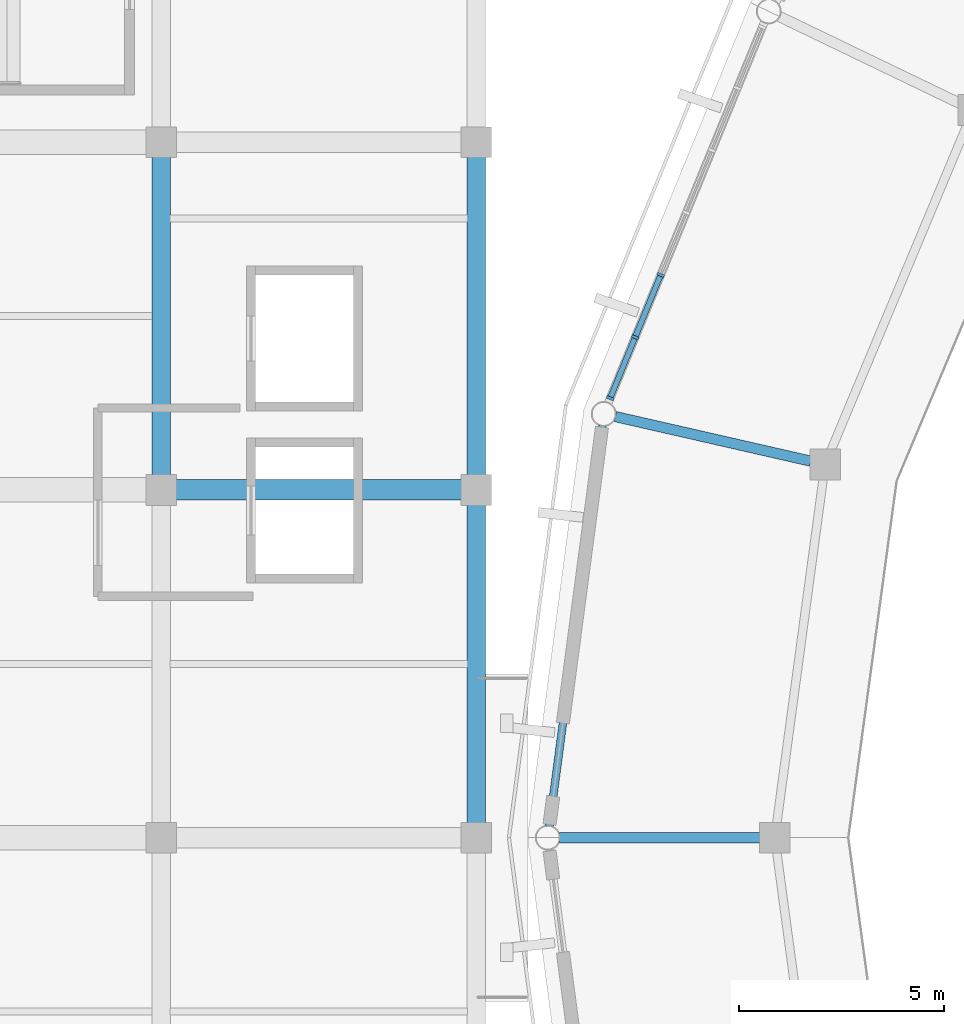
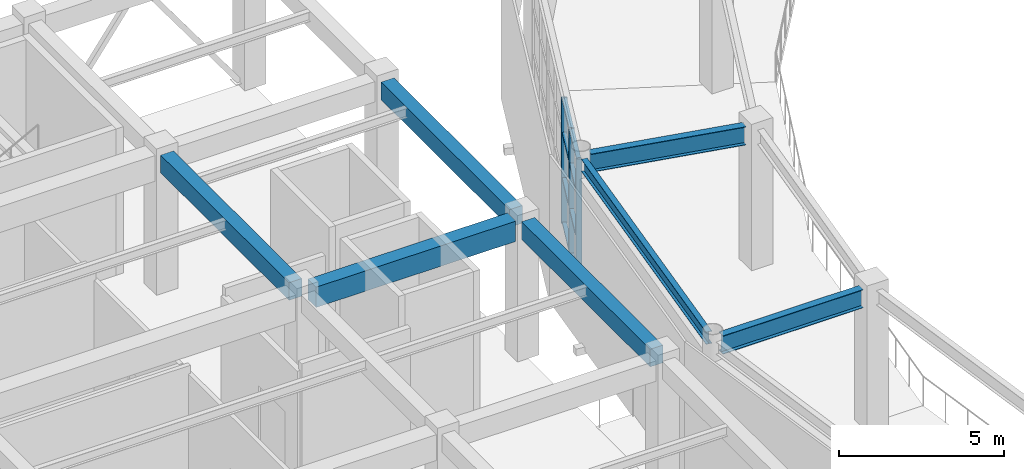
# One storey, part 25 of 70: 11 members, 7 beams, 1 element without a shape of its own.
"""IFC4 building model written with IfcOpenShell, lengths in metres."""

import ifcopenshell
import ifcopenshell.guid

model = None  # the IFC model being written
_history = None  # IfcOwnerHistory: only IFC2X3 demands one
_inside = {}  # id of a spatial element -> (the spatial element, [elements in it])
_under = {}  # id of a project, library or spatial element -> (it, [spatial elements below it])
_declared = {}  # id of a project -> (the project, [libraries it declares])
_typed = {}  # id of a type object -> (the type object, [elements of that type])
_made_of = {}  # id of a material, layer set ... -> (it, [elements and type objects made of it])


def new_model(schema):
    """Start an empty IFC model of exactly this schema.

    Asked for "IFC4X3", IfcOpenShell would pick the latest addendum, in which some entities
    have other attributes; the version numbers below select the first issue.
    IFC2X3 requires an IfcOwnerHistory on every rooted entity: one is made here for all.
    """
    global model, _history
    if schema == "IFC4X3":
        model = ifcopenshell.file(schema_version=(4, 3, 0, 0))
    else:
        model = ifcopenshell.file(schema=schema)
    _inside.clear()
    _under.clear()
    _declared.clear()
    _typed.clear()
    _made_of.clear()
    _history = None
    if model.schema == "IFC2X3":
        org = make("IfcOrganization", Name="unknown")
        user = make(
            "IfcPersonAndOrganization",
            ThePerson=make("IfcPerson", FamilyName="unknown"),
            TheOrganization=org,
        )
        app = make(
            "IfcApplication",
            ApplicationDeveloper=org,
            Version="unknown",
            ApplicationFullName="unknown",
            ApplicationIdentifier="unknown",
        )
        _history = make(
            "IfcOwnerHistory",
            OwningUser=user,
            OwningApplication=app,
            ChangeAction="ADDED",
            CreationDate=0,
        )
    return model


def make(cls, **values):
    """One entity of the class cls with the attributes given. An attribute that is None is left unset."""
    return model.create_entity(
        cls, **{name: value for name, value in values.items() if value is not None}
    )


def rooted(cls, **values):
    """An entity with a GlobalId (a new one), such as an element, a storey or a relation."""
    return make(cls, GlobalId=ifcopenshell.guid.new(), OwnerHistory=_history, **values)


def si_unit(unit_type, name, prefix=None):
    """IfcSIUnit, for example si_unit("LENGTHUNIT", "METRE", prefix="MILLI")."""
    return make("IfcSIUnit", UnitType=unit_type, Prefix=prefix, Name=name)


def assignment(units):
    """IfcUnitAssignment: the units of a project."""
    return None if units is None else make("IfcUnitAssignment", Units=units)


def point(xyz):
    """IfcCartesianPoint."""
    return None if xyz is None else make("IfcCartesianPoint", Coordinates=xyz)


def direction(xyz):
    """IfcDirection."""
    return None if xyz is None else make("IfcDirection", DirectionRatios=xyz)


def frame(location, z_axis=None, x_axis=None):
    """IfcAxis2Placement3D, a coordinate frame: its origin and axes. An axis left out is left unset."""
    return make(
        "IfcAxis2Placement3D",
        Location=point(location),
        Axis=direction(z_axis),
        RefDirection=direction(x_axis),
    )


def frame_2d(location, x_axis=None):
    """IfcAxis2Placement2D, a coordinate frame in the plane: its origin and x axis."""
    return make(
        "IfcAxis2Placement2D", Location=point(location), RefDirection=direction(x_axis)
    )


def origin():
    """The frame at (0, 0, 0) with its axes left unset."""
    return frame((0.0, 0.0, 0.0))


def origin_2d():
    """The frame at (0, 0) in the plane with its x axis left unset."""
    return frame_2d((0.0, 0.0))


def place(relative_to, where):
    """IfcLocalPlacement: puts the frame where relative to a parent placement (None: the world)."""
    return make(
        "IfcLocalPlacement", PlacementRelTo=relative_to, RelativePlacement=where
    )


def context(
    kind, dimensions, precision=None, world=None, true_north=None, identifier=None
):
    """IfcGeometricRepresentationContext, for example the 3D "Model" context."""
    return make(
        "IfcGeometricRepresentationContext",
        ContextIdentifier=identifier,
        ContextType=kind,
        CoordinateSpaceDimension=dimensions,
        Precision=precision,
        WorldCoordinateSystem=world,
        TrueNorth=true_north,
    )


def subcontext(parent, identifier, kind, view, scale=None):
    """IfcGeometricRepresentationSubContext, for example "Body" below "Model"."""
    return make(
        "IfcGeometricRepresentationSubContext",
        ContextIdentifier=identifier,
        ContextType=kind,
        ParentContext=parent,
        TargetScale=scale,
        TargetView=view,
    )


def project(units=None, contexts=None):
    """IfcProject with its units and contexts."""
    return rooted(
        "IfcProject",
        Name="project",
        RepresentationContexts=contexts,
        UnitsInContext=assignment(units),
    )


def spatial(cls, under=None, at=None, **own):
    """A site, building, storey or space (cls), placed at a placement, below another one or the project."""
    s = rooted(cls, ObjectPlacement=at, **own)
    if under is not None:
        _under.setdefault(under.id(), (under, []))[1].append(s)
    return s


def profile(cls, at=None, kind="AREA", **sizes):
    """A parametric profile (cls). Its sizes go by their IFC names, for example OverallWidth=200.0."""
    return make(cls, ProfileType=kind, Position=at, **sizes)


def rectangle(**sizes):
    """IfcRectangleProfileDef."""
    return profile("IfcRectangleProfileDef", **sizes)


def i_section(**sizes):
    """IfcIShapeProfileDef."""
    return profile("IfcIShapeProfileDef", **sizes)


def extrude(swept, where, along, depth):
    """IfcExtrudedAreaSolid: the profile swept, set in the frame where, extruded along a direction by depth."""
    return make(
        "IfcExtrudedAreaSolid",
        SweptArea=swept,
        Position=where,
        ExtrudedDirection=direction(along),
        Depth=depth,
    )


def shape(context_of_items, identifier, shape_type, items):
    """IfcShapeRepresentation: the items that make up one representation, for example the "Body"."""
    return make(
        "IfcShapeRepresentation",
        ContextOfItems=context_of_items,
        RepresentationIdentifier=identifier,
        RepresentationType=shape_type,
        Items=items,
    )


def material(Name=None, Category=None):
    """IfcMaterial."""
    return make("IfcMaterial", Name=Name, Category=Category)


def material_profile(
    of_material, cross_section, Name=None, Category=None, Priority=None
):
    """IfcMaterialProfile: a cross section and its material."""
    return make(
        "IfcMaterialProfile",
        Name=Name,
        Material=of_material,
        Profile=cross_section,
        Priority=Priority,
        Category=Category,
    )


def profile_set(profiles, Name=None, composite=None):
    """IfcMaterialProfileSet."""
    return make(
        "IfcMaterialProfileSet",
        Name=Name,
        MaterialProfiles=profiles,
        CompositeProfile=composite,
    )


def made_of(thing, what):
    """Note that an element or type object is made of a material, layer set ...; save() writes the relation."""
    if what is not None:
        _made_of.setdefault(what.id(), (what, []))[1].append(thing)
    return thing


def type_object(cls, material=None, **own):
    """A type object (cls), such as IfcWallType, which elements share."""
    return made_of(rooted(cls, **own), material)


def element(
    cls,
    number,
    at=None,
    inside=None,
    cuts=None,
    type_object=None,
    material=None,
    context=None,
    identifier="Body",
    shape_type=None,
    held_by="IfcProductDefinitionShape",
    body=None,
    shapes=None,
    **own,
):
    """One element of the class cls, such as IfcWall. Its Tag is "e" and its number.

    at: its placement. inside: the storey or other place that contains it. cuts: it is an
    opening in that element (IfcRelVoidsElement). A single representation is given by context,
    identifier, shape_type and body (its items); several are given by shapes. held_by: the class
    of the entity that holds the representations. save() writes the other relations.
    """
    e = rooted(cls, Tag="e%d" % number, ObjectPlacement=at, **own)
    if body is not None:
        shapes = [shape(context, identifier, shape_type, body)]
    if shapes is not None:
        e.Representation = make(held_by, Representations=shapes)
    if inside is not None:
        _inside.setdefault(inside.id(), (inside, []))[1].append(e)
    if cuts is not None:
        rooted(
            "IfcRelVoidsElement", RelatingBuildingElement=cuts, RelatedOpeningElement=e
        )
    if type_object is not None:
        _typed.setdefault(type_object.id(), (type_object, []))[1].append(e)
    return made_of(e, material)


def aggregate(whole, parts):
    """IfcRelAggregates: a whole, such as a stair, and the parts it consists of."""
    return rooted("IfcRelAggregates", RelatingObject=whole, RelatedObjects=parts)


def save(model, path):
    """Write the relations noted so far, then the file.

    IfcRelAggregates (storeys below a building ...), IfcRelContainedInSpatialStructure (elements
    in a storey), IfcRelDefinesByType, IfcRelAssociatesMaterial and IfcRelDeclares: one each for
    every whole, place, type object, material and project.
    """
    for whole, parts in _under.values():
        aggregate(whole, parts)
    for where, things in _inside.values():
        rooted(
            "IfcRelContainedInSpatialStructure",
            RelatedElements=things,
            RelatingStructure=where,
        )
    for kind, things in _typed.values():
        rooted("IfcRelDefinesByType", RelatedObjects=things, RelatingType=kind)
    for what, things in _made_of.values():
        rooted("IfcRelAssociatesMaterial", RelatedObjects=things, RelatingMaterial=what)
    for by, libraries in _declared.values():
        rooted("IfcRelDeclares", RelatingContext=by, RelatedDefinitions=libraries)
    model.write(path)


model = new_model("IFC4")

# Units and contexts
model_context = context("Model", 3, precision=1e-05, world=origin(), true_north=direction((0.0, 1.0)))
body_context = subcontext(model_context, "Body", "Model", "MODEL_VIEW")
ifc_project = project(units=[si_unit("LENGTHUNIT", "METRE"), si_unit("AREAUNIT", "SQUARE_METRE"), si_unit("VOLUMEUNIT", "CUBIC_METRE"), si_unit("PLANEANGLEUNIT", "RADIAN"), si_unit("MASSUNIT", "GRAM", prefix="KILO")], contexts=[model_context])

# Site, building, storey
site_placement = place(None, origin())
site = spatial("IfcSite", under=ifc_project, at=site_placement, CompositionType="ELEMENT")
building_placement = place(site_placement, origin())
building = spatial("IfcBuilding", under=site, at=building_placement, Name="Cuetzalor Civic Arena", CompositionType="ELEMENT")
storey_placement = place(building_placement, frame((0.0, 0.0, 21.0)))
storey = spatial("IfcBuildingStorey", under=building, at=storey_placement, Name="L04", CompositionType="ELEMENT", Elevation=21.0)

# Beams
ifc_material_1 = material(Name="Concrete C40/50", Category="concrete")
ifc_material_profile_1 = material_profile(ifc_material_1, rectangle(XDim=0.5, YDim=0.75, at=origin_2d()), Name="RC 500x750")
ifc_profile_set_1 = profile_set([ifc_material_profile_1], Name="Concrete C40/50")
beam_type_1 = type_object("IfcBeamType", Name="ConcreteFrameBeam_500x750", PredefinedType="BEAM", material=ifc_profile_set_1)
beam_1_placement = place(storey_placement, frame((-63.635009765625, 8.5, 4.7451171875), z_axis=(1.0, 0.0, 0.0), x_axis=(0.0, 1.0, 0.0)))
element("IfcBeam", 1, at=beam_1_placement, inside=storey, type_object=beam_type_1, Name="Frame Girder V4W-L04-X1109", PredefinedType="BEAM", context=body_context, shape_type="SweptSolid", body=[
    extrude(rectangle(XDim=0.5, YDim=0.75, at=origin_2d()), origin(), (0.0, 0.0, 1.0), 6.969970703125),
])
ifc_material_2 = material(Name="Concrete C40/50", Category="concrete")
ifc_material_profile_2 = material_profile(ifc_material_2, rectangle(XDim=0.449951171875, YDim=0.64990234375, at=origin_2d()), Name="RC 450x650")
ifc_profile_set_2 = profile_set([ifc_material_profile_2], Name="Concrete C40/50")
beam_type_2 = type_object("IfcBeamType", Name="ConcreteTieBeam_450x650", PredefinedType="BEAM", material=ifc_profile_set_2)
for number, where, z_axis, x_axis, name in (
    (2, (-64.0, 8.864990234375, 4.794921875), (0.0, 1.0, 0.0), (-1.0, 0.0, 0.0), "Frame Girder V4W-L04-Y1138"),
    (3, (-56.300048828125, 0.364990234375, 4.794921875), (0.0, 1.0, 0.0), (-1.0, 0.0, 0.0), "Frame Girder V4W-L04-Y1145"),
    (4, (-56.300048828125, 8.864990234375, 4.794921875), (0.0, 1.0, 0.0), (-1.0, 0.0, 0.0), "Frame Girder V4W-L04-Y1146"),
):
    element("IfcBeam", number, at=place(storey_placement, frame(where, z_axis=z_axis, x_axis=x_axis)), inside=storey, type_object=beam_type_2, Name=name, PredefinedType="BEAM", context=body_context, shape_type="SweptSolid", body=[
        extrude(rectangle(XDim=0.449951171875, YDim=0.64990234375, at=origin_2d()), origin(), (0.0, 0.0, 1.0), 7.77001953125),
    ])

# Curtain wall, members
ifc_material_3 = material(Name="Anodised dark bronze aluminium and low-E solar glass", Category="aluminium")
curtain_wall_type = type_object("IfcCurtainWallType", Name="UnitisedCW_9850x4650", PredefinedType="USERDEFINED", material=ifc_material_3)
curtain_wall_placement = place(storey_placement, origin())
curtain_wall = element("IfcCurtainWall", 5, at=curtain_wall_placement, inside=storey, type_object=curtain_wall_type, Name="Drum Triangle Foyer Curtain Wall L04-062", ObjectType="UNITISED CURTAIN WALL", PredefinedType="USERDEFINED")
ifc_material_4 = material(Name="Anodised dark bronze aluminium", Category="aluminium")
ifc_material_profile_3 = material_profile(ifc_material_4, rectangle(XDim=0.070068359375, YDim=0.179931640625, at=origin_2d()), Name="ALU MULLION 70x180")
ifc_profile_set_3 = profile_set([ifc_material_profile_3], Name="Anodised dark bronze aluminium")
member_type_1 = type_object("IfcMemberType", Name="CurtainWallMullion_65x180", PredefinedType="MULLION", material=ifc_profile_set_3)
member_1_placement = place(storey_placement, frame((-53.02490234375, 10.7421875, 0.0), z_axis=(0.0, 0.0, 1.0), x_axis=(0.379391428583, 0.925236263836, 0.0)))
member_1 = element("IfcMember", 6, at=member_1_placement, type_object=member_type_1, Name="CW-11 mullion 1", PredefinedType="MULLION", context=body_context, shape_type="SweptSolid", body=[
    extrude(rectangle(XDim=0.070068359375, YDim=0.179931640625, at=origin_2d()), origin(), (0.0, 0.0, 1.0), 4.653076171875),
])
member_2_placement = place(storey_placement, frame((-52.413818359375, 12.232421875, 0.0), z_axis=(0.0, 0.0, 1.0), x_axis=(0.379391428583, 0.925236263836, 0.0)))
member_2 = element("IfcMember", 7, at=member_2_placement, type_object=member_type_1, Name="CW-11 mullion 2", PredefinedType="MULLION", context=body_context, shape_type="SweptSolid", body=[
    extrude(rectangle(XDim=0.070068359375, YDim=0.179931640625, at=origin_2d()), origin(), (0.0, 0.0, 1.0), 4.653076171875),
])
member_3_placement = place(storey_placement, frame((-51.78955078125, 13.755126953125, 0.0), z_axis=(0.0, 0.0, 1.0), x_axis=(0.379391428583, 0.925236263836, 0.0)))
member_3 = element("IfcMember", 8, at=member_3_placement, type_object=member_type_1, Name="CW-11 mullion 3", PredefinedType="MULLION", context=body_context, shape_type="SweptSolid", body=[
    extrude(rectangle(XDim=0.070068359375, YDim=0.179931640625, at=origin_2d()), origin(), (0.0, 0.0, 1.0), 4.653076171875),
])
ifc_material_5 = material(Name="Anodised dark bronze aluminium", Category="aluminium")
ifc_material_profile_4 = material_profile(ifc_material_5, rectangle(XDim=0.139892578125, YDim=0.070068359375, at=origin_2d()), Name="ALU TRANSOM 70x140")
ifc_profile_set_4 = profile_set([ifc_material_profile_4], Name="Anodised dark bronze aluminium")
member_type_2 = type_object("IfcMemberType", Name="CurtainWallTransom_65x140", PredefinedType="USERDEFINED", material=ifc_profile_set_4)
member_4_placement = place(storey_placement, frame((-53.01171875, 10.774658203125, 0.034912109375), z_axis=(0.379490282, 0.925195723005, 0.0), x_axis=(-0.925195723005, 0.379490282, 0.0)))
member_4 = element("IfcMember", 9, at=member_4_placement, type_object=member_type_2, Name="CW-11 transom 1.1", ObjectType="TRANSOM", PredefinedType="USERDEFINED", context=body_context, shape_type="SweptSolid", body=[
    extrude(rectangle(XDim=0.139892578125, YDim=0.070068359375, at=origin_2d()), origin(), (0.0, 0.0, 1.0), 1.540771484375),
])
member_5_placement = place(storey_placement, frame((-53.01171875, 10.774658203125, 1.675048828125), z_axis=(0.379490282, 0.925195723005, 0.0), x_axis=(-0.925195723005, 0.379490282, 0.0)))
member_5 = element("IfcMember", 10, at=member_5_placement, type_object=member_type_2, Name="CW-11 transom 1.2", ObjectType="TRANSOM", PredefinedType="USERDEFINED", context=body_context, shape_type="SweptSolid", body=[
    extrude(rectangle(XDim=0.139892578125, YDim=0.070068359375, at=origin_2d()), origin(), (0.0, 0.0, 1.0), 1.540771484375),
])
member_6_placement = place(storey_placement, frame((-53.01171875, 10.774658203125, 3.35009765625), z_axis=(0.379490282, 0.925195723005, 0.0), x_axis=(-0.925195723005, 0.379490282, 0.0)))
member_6 = element("IfcMember", 11, at=member_6_placement, type_object=member_type_2, Name="CW-11 transom 1.3", ObjectType="TRANSOM", PredefinedType="USERDEFINED", context=body_context, shape_type="SweptSolid", body=[
    extrude(rectangle(XDim=0.139892578125, YDim=0.070068359375, at=origin_2d()), origin(), (0.0, 0.0, 1.0), 1.540771484375),
])
member_7_placement = place(storey_placement, frame((-53.01171875, 10.774658203125, 4.617919921875), z_axis=(0.379490282, 0.925195723005, 0.0), x_axis=(-0.925195723005, 0.379490282, 0.0)))
member_7 = element("IfcMember", 12, at=member_7_placement, type_object=member_type_2, Name="CW-11 transom 1.4", ObjectType="TRANSOM", PredefinedType="USERDEFINED", context=body_context, shape_type="SweptSolid", body=[
    extrude(rectangle(XDim=0.139892578125, YDim=0.070068359375, at=origin_2d()), origin(), (0.0, 0.0, 1.0), 1.540771484375),
])
member_8_placement = place(storey_placement, frame((-52.400634765625, 12.264892578125, 0.034912109375), z_axis=(0.37947133734, 0.925203493367, 0.0), x_axis=(-0.925203493367, 0.37947133734, 0.0)))
member_8 = element("IfcMember", 13, at=member_8_placement, type_object=member_type_2, Name="CW-11 transom 2.1", ObjectType="TRANSOM", PredefinedType="USERDEFINED", context=body_context, shape_type="SweptSolid", body=[
    extrude(rectangle(XDim=0.139892578125, YDim=0.070068359375, at=origin_2d()), origin(), (0.0, 0.0, 1.0), 1.57568359375),
])
member_9_placement = place(storey_placement, frame((-52.400634765625, 12.264892578125, 1.675048828125), z_axis=(0.37947133734, 0.925203493367, 0.0), x_axis=(-0.925203493367, 0.37947133734, 0.0)))
member_9 = element("IfcMember", 14, at=member_9_placement, type_object=member_type_2, Name="CW-11 transom 2.2", ObjectType="TRANSOM", PredefinedType="USERDEFINED", context=body_context, shape_type="SweptSolid", body=[
    extrude(rectangle(XDim=0.139892578125, YDim=0.070068359375, at=origin_2d()), origin(), (0.0, 0.0, 1.0), 1.57568359375),
])
member_10_placement = place(storey_placement, frame((-52.400634765625, 12.264892578125, 3.35009765625), z_axis=(0.37947133734, 0.925203493367, 0.0), x_axis=(-0.925203493367, 0.37947133734, 0.0)))
member_10 = element("IfcMember", 15, at=member_10_placement, type_object=member_type_2, Name="CW-11 transom 2.3", ObjectType="TRANSOM", PredefinedType="USERDEFINED", context=body_context, shape_type="SweptSolid", body=[
    extrude(rectangle(XDim=0.139892578125, YDim=0.070068359375, at=origin_2d()), origin(), (0.0, 0.0, 1.0), 1.57568359375),
])
member_11_placement = place(storey_placement, frame((-52.400634765625, 12.264892578125, 4.617919921875), z_axis=(0.37947133734, 0.925203493367, 0.0), x_axis=(-0.925203493367, 0.37947133734, 0.0)))
member_11 = element("IfcMember", 16, at=member_11_placement, type_object=member_type_2, Name="CW-11 transom 2.4", ObjectType="TRANSOM", PredefinedType="USERDEFINED", context=body_context, shape_type="SweptSolid", body=[
    extrude(rectangle(XDim=0.139892578125, YDim=0.070068359375, at=origin_2d()), origin(), (0.0, 0.0, 1.0), 1.57568359375),
])
aggregate(curtain_wall, [member_1, member_2, member_3, member_4, member_5, member_6, member_7, member_8, member_9, member_10, member_11])

# Beams
ifc_material_6 = material(Name="Steel S355", Category="steel")
ifc_material_profile_5 = material_profile(ifc_material_6, i_section(OverallWidth=0.18994140625, OverallDepth=0.45703125, WebThickness=0.009033203125, FlangeThickness=0.014404296875, at=origin_2d()), Name="W460x74")
ifc_profile_set_5 = profile_set([ifc_material_profile_5], Name="Steel S355")
beam_type_3 = type_object("IfcBeamType", Name="FacadeSpandrelBeam_W460", PredefinedType="SPANDREL", material=ifc_profile_set_5)
beam_2_placement = place(storey_placement, frame((-53.22021484375, 10.07080078125, 4.8916015625), z_axis=(-0.130901206694, -0.991395417624, 0.0), x_axis=(0.991395417624, -0.130901206694, 0.0)))
element("IfcBeam", 17, at=beam_2_placement, inside=storey, type_object=beam_type_3, Name="Drum Perimeter Spandrel L04-S14", PredefinedType="SPANDREL", context=body_context, shape_type="SweptSolid", body=[
    extrude(i_section(OverallWidth=0.18994140625, OverallDepth=0.45703125, WebThickness=0.009033203125, FlangeThickness=0.014404296875, at=origin_2d()), origin(), (0.0, 0.0, 1.0), 9.8681640625),
])
ifc_material_7 = material(Name="Steel S355", Category="steel")
ifc_material_profile_6 = material_profile(ifc_material_7, i_section(OverallWidth=0.2529296875, OverallDepth=0.677978515625, WebThickness=0.01171875, FlangeThickness=0.016357421875, at=origin_2d()), Name="W690x125")
ifc_profile_set_6 = profile_set([ifc_material_profile_6], Name="Steel S355")
beam_type_4 = type_object("IfcBeamType", Name="SteelPrimaryGirder_W690", PredefinedType="BEAM", material=ifc_profile_set_6)
for number, where, z_axis, x_axis, name in (
    (18, (-48.12255859375, 9.20361328125, 4.781005859375), (-0.974939153271, 0.222471677792, 0.0), (-0.222471677792, -0.974939153271, 0.0), "Drum Radial Girder L04-R14"),
    (19, (-49.360107421875, 0.0, 4.781005859375), (-1.0, 0.0, 0.0), (0.0, -1.0, 0.0), "Drum Radial Girder L04-R15"),
):
    element("IfcBeam", number, at=place(storey_placement, frame(where, z_axis=z_axis, x_axis=x_axis)), inside=storey, type_object=beam_type_4, Name=name, PredefinedType="BEAM", context=body_context, shape_type="SweptSolid", body=[
        extrude(i_section(OverallWidth=0.2529296875, OverallDepth=0.677978515625, WebThickness=0.01171875, FlangeThickness=0.016357421875, at=origin_2d()), origin(), (0.0, 0.0, 1.0), 4.89990234375),
    ])

save(model, "model.ifc")
